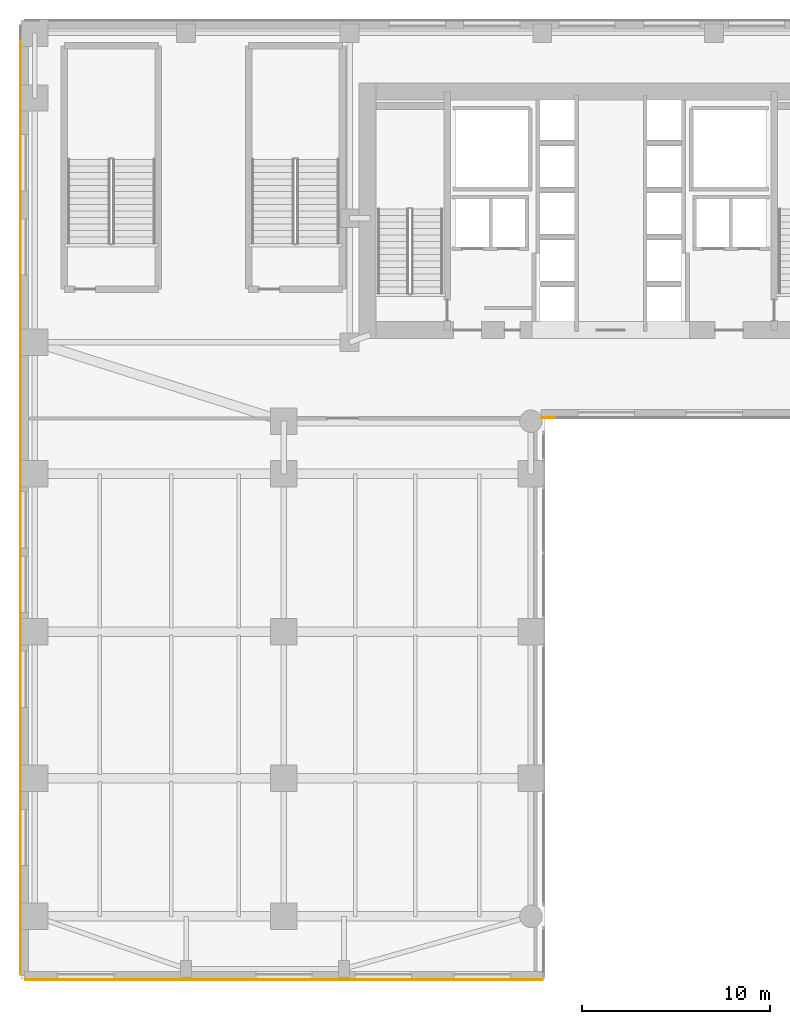
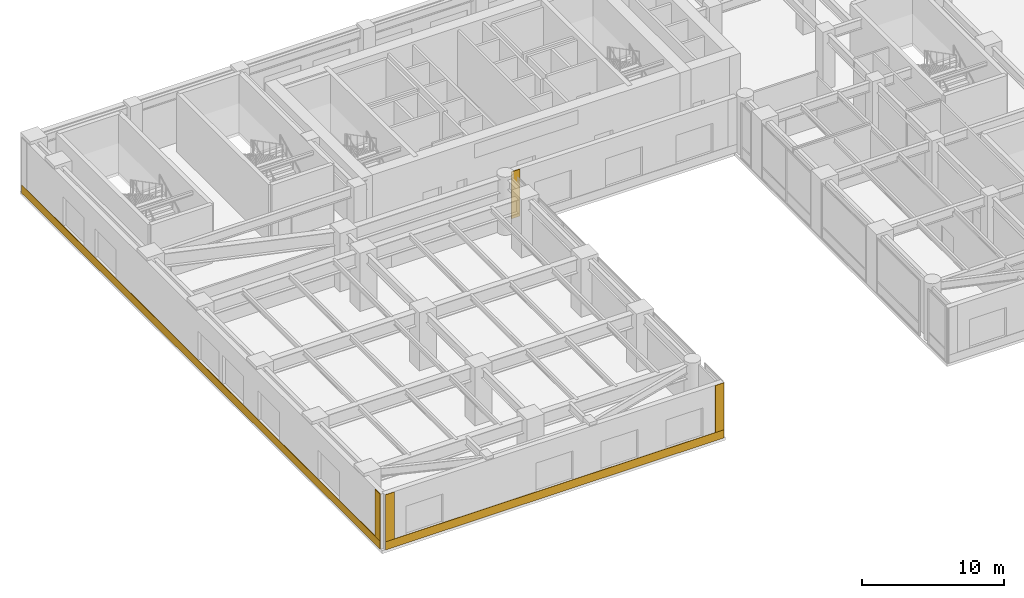
# One storey, part 17 of 24: 6 coverings.
"""IFC4 building model written with IfcOpenShell, lengths in metres."""

from ifc_helpers import new_model, si_unit, direction, frame, origin, place, context, subcontext, project, spatial, polyline, outline, extrude, material, layer, layer_set, type_object, element, save


model = new_model("IFC4")

# Units and contexts
model_context = context("Model", 3, precision=1e-05, world=origin(), true_north=direction((0.0, 1.0)))
body_context = subcontext(model_context, "Body", "Model", "MODEL_VIEW")
ifc_project = project(units=[si_unit("LENGTHUNIT", "METRE"), si_unit("AREAUNIT", "SQUARE_METRE"), si_unit("VOLUMEUNIT", "CUBIC_METRE"), si_unit("PLANEANGLEUNIT", "RADIAN"), si_unit("MASSUNIT", "GRAM", prefix="KILO")], contexts=[model_context])

# Site, building, storey
site_placement = place(None, origin())
site = spatial("IfcSite", under=ifc_project, at=site_placement, CompositionType="ELEMENT")
building_placement = place(site_placement, origin())
building = spatial("IfcBuilding", under=site, at=building_placement, Name="Tolvann Quenvar Hotel", CompositionType="ELEMENT")
storey_placement = place(building_placement, frame((0.0, 0.0, 6.0)))
storey = spatial("IfcBuildingStorey", under=building, at=storey_placement, Name="L01", CompositionType="ELEMENT", Elevation=6.0)

# Coverings
ifc_material_1 = material(Name="Kiln-fired red architectural face brick cladding", Category="masonry")
ifc_layer_1 = layer(ifc_material_1, 0.0400390625)
ifc_layer_set_1 = layer_set([ifc_layer_1], Name="Kiln-fired red architectural face brick cladding")
covering_type_1 = type_object("IfcCoveringType", Name="COV_CLAD_BRICK_40", PredefinedType="CLADDING", material=ifc_layer_set_1)
covering_1_placement = place(storey_placement, frame((0.0, 0.0, 0.699951171875)))
element("IfcCovering", 1, at=covering_1_placement, inside=storey, type_object=covering_type_1, Name="Brick Pier Cladding (L01-E02-P1)", PredefinedType="CLADDING", context=body_context, shape_type="SweptSolid", body=[
    extrude(outline(polyline([(19.340087890625, 27.39990234375), (20.0400390625, 27.39990234375), (20.0400390625, 27.360107421875), (19.340087890625, 27.360107421875), (19.340087890625, 27.39990234375)])), origin(), (0.0, 0.0, 1.0), 4.0400390625),
])
covering_2_placement = place(storey_placement, frame((0.0, 0.0, 0.699951171875)))
element("IfcCovering", 2, at=covering_2_placement, inside=storey, type_object=covering_type_1, Name="Brick Pier Cladding (L01-E07-P2)", PredefinedType="CLADDING", context=body_context, shape_type="SweptSolid", body=[
    extrude(outline(polyline([(-8.39990234375, -1.5400390625), (-8.39990234375, -2.239990234375), (-8.43994140625, -2.239990234375), (-8.43994140625, -1.5400390625), (-8.39990234375, -1.5400390625)])), origin(), (0.0, 0.0, 1.0), 4.0400390625),
])
covering_3_placement = place(storey_placement, frame((0.0, 0.0, 0.699951171875)))
element("IfcCovering", 3, at=covering_3_placement, inside=storey, type_object=covering_type_1, Name="Brick Pier Cladding (L01-E08-P1)", PredefinedType="CLADDING", context=body_context, shape_type="SweptSolid", body=[
    extrude(outline(polyline([(-8.139892578125, -2.5), (-7.43994140625, -2.5), (-7.43994140625, -2.5400390625), (-8.139892578125, -2.5400390625), (-8.139892578125, -2.5)])), origin(), (0.0, 0.0, 1.0), 4.0400390625),
])
covering_4_placement = place(storey_placement, frame((0.0, 0.0, 0.699951171875)))
element("IfcCovering", 4, at=covering_4_placement, inside=storey, type_object=covering_type_1, Name="Brick Pier Cladding (L01-E08-P2)", PredefinedType="CLADDING", context=body_context, shape_type="SweptSolid", body=[
    extrude(outline(polyline([(18.659912109375, -2.5), (19.360107421875, -2.5), (19.360107421875, -2.5400390625), (18.659912109375, -2.5400390625), (18.659912109375, -2.5)])), origin(), (0.0, 0.0, 1.0), 4.0400390625),
])
ifc_material_2 = material(Name="Moulded buff architectural terracotta spandrel cladding", Category="masonry")
ifc_layer_2 = layer(ifc_material_2, 0.0400390625)
ifc_layer_set_2 = layer_set([ifc_layer_2], Name="Moulded buff architectural terracotta spandrel cladding")
covering_type_2 = type_object("IfcCoveringType", Name="COV_CLAD_TERRA_40", PredefinedType="CLADDING", material=ifc_layer_set_2)
covering_5_placement = place(storey_placement, origin())
element("IfcCovering", 5, at=covering_5_placement, inside=storey, type_object=covering_type_2, Name="Terracotta Spandrel Cladding (L01-E07)", PredefinedType="CLADDING", context=body_context, shape_type="SweptSolid", body=[
    extrude(outline(polyline([(-8.39990234375, 48.25), (-8.39990234375, -2.25), (-8.43994140625, -2.25), (-8.43994140625, 48.25), (-8.39990234375, 48.25)])), origin(), (0.0, 0.0, 1.0), 0.699951171875),
])
covering_6_placement = place(storey_placement, origin())
element("IfcCovering", 6, at=covering_6_placement, inside=storey, type_object=covering_type_2, Name="Terracotta Spandrel Cladding (L01-E08)", PredefinedType="CLADDING", context=body_context, shape_type="SweptSolid", body=[
    extrude(outline(polyline([(-8.14990234375, -2.5), (19.3701171875, -2.5), (19.3701171875, -2.5400390625), (-8.14990234375, -2.5400390625), (-8.14990234375, -2.5)])), origin(), (0.0, 0.0, 1.0), 0.699951171875),
])

save(model, "model.ifc")
